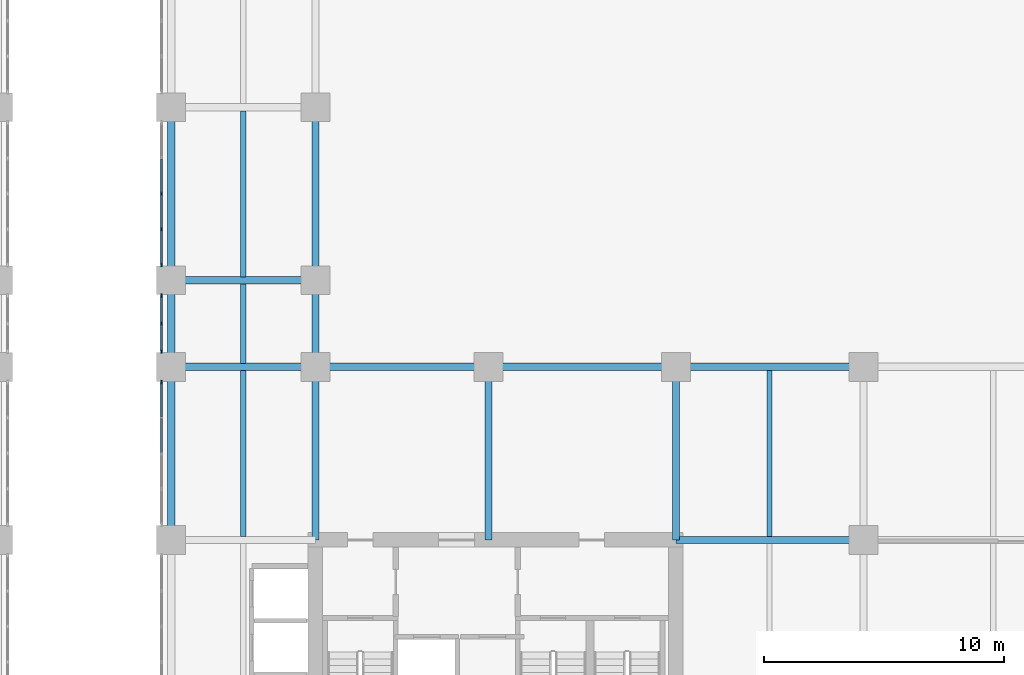
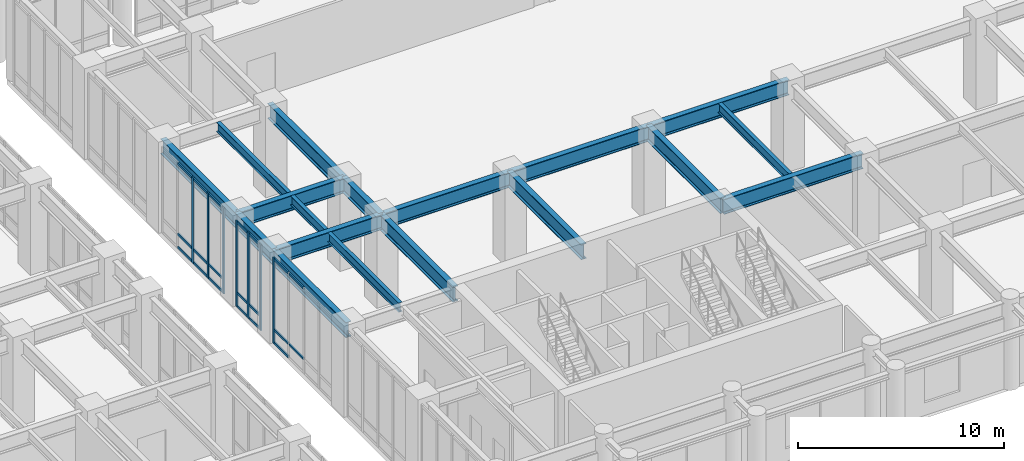
# One storey, part 5 of 23: 27 members, 18 beams, 3 elements without a shape of their own.
"""IFC4 building model written with IfcOpenShell, lengths in metres."""

from ifc_helpers import new_model, si_unit, derived_unit, direction, frame, origin, origin_2d, place, context, subcontext, project, spatial, rectangle, i_section, extrude, source, transform, mapped, material, layer, layer_set, material_profile, profile_set, type_object, type_shapes, element, aggregate, save


model = new_model("IFC4")

# Units and contexts
model_context = context("Model", 3, precision=1e-05, world=origin(), true_north=direction((0.0, 1.0)))
body_context = subcontext(model_context, "Body", "Model", "MODEL_VIEW")
ifc_project = project(units=[si_unit("LENGTHUNIT", "METRE"), si_unit("AREAUNIT", "SQUARE_METRE"), si_unit("VOLUMEUNIT", "CUBIC_METRE"), si_unit("PLANEANGLEUNIT", "RADIAN"), si_unit("MASSUNIT", "GRAM", prefix="KILO"), si_unit("THERMODYNAMICTEMPERATUREUNIT", "KELVIN"), si_unit("POWERUNIT", "WATT"), derived_unit("THERMALTRANSMITTANCEUNIT", [(si_unit("POWERUNIT", "WATT"), 1), (si_unit("AREAUNIT", "SQUARE_METRE"), -1), (si_unit("THERMODYNAMICTEMPERATUREUNIT", "KELVIN"), -1)])], contexts=[model_context])

# Site, building, storey
site_placement = place(None, origin())
site = spatial("IfcSite", under=ifc_project, at=site_placement, CompositionType="ELEMENT")
building_placement = place(site_placement, origin())
building = spatial("IfcBuilding", under=site, at=building_placement, Name="Zahravan Archway Hotel and Residences", CompositionType="ELEMENT")
storey_placement = place(building_placement, frame((0.0, 0.0, 5.39990234375)))
storey = spatial("IfcBuildingStorey", under=building, at=storey_placement, Name="L01", CompositionType="ELEMENT", Elevation=5.39990234375)

# Beams
ifc_material_1 = material(Name="Structural Steel S355J2", Category="steel")
ifc_material_profile_1 = material_profile(ifc_material_1, i_section(OverallWidth=0.300048828125, OverallDepth=0.89990234375, WebThickness=0.0185546875, FlangeThickness=0.034912109375, FilletRadius=0.030029296875, at=origin_2d()), Name="HEB 900", Category="steel")
ifc_profile_set_1 = profile_set([ifc_material_profile_1], Name="Structural Steel S355J2")
beam_type_1 = type_object("IfcBeamType", Name="BM-PRI-HEB900", PredefinedType="BEAM", material=ifc_profile_set_1)
shared_shape_1 = source(origin(), body_context, "Body", "SweptSolid", [
    extrude(i_section(OverallWidth=0.300048828125, OverallDepth=0.89990234375, WebThickness=0.0185546875, FlangeThickness=0.034912109375, FilletRadius=0.030029296875, at=origin_2d()), origin(), (0.0, 0.0, 1.0), 7.199951171875),
])
for number, where, z_axis, x_axis, name in (
    (1, (34.800048828125, 21.60009765625, 4.650146484375), (1.0, 0.0, 0.0), (0.0, 1.0, 0.0), "L01 Primary Girder EW-32"),
    (2, (28.800048828125, 25.199951171875, 4.650146484375), (0.0, 1.0, 0.0), (-1.0, 0.0, 0.0), "L01 Primary Girder NS-99"),
    (3, (34.800048828125, 25.199951171875, 4.650146484375), (0.0, 1.0, 0.0), (-1.0, 0.0, 0.0), "L01 Primary Girder NS-104"),
):
    element("IfcBeam", number, at=place(storey_placement, frame(where, z_axis=z_axis, x_axis=x_axis)), inside=storey, type_object=beam_type_1, Name=name, PredefinedType="BEAM", context=body_context, shape_type="MappedRepresentation", body=[
        mapped(shared_shape_1, transform((0.0, 0.0, 0.0), scale=1.0)),
    ])
shared_shape_2 = source(origin(), body_context, "Body", "SweptSolid", [
    extrude(i_section(OverallWidth=0.300048828125, OverallDepth=0.89990234375, WebThickness=0.0185546875, FlangeThickness=0.034912109375, FilletRadius=0.030029296875, at=origin_2d()), origin(), (0.0, 0.0, 1.0), 7.2001953125),
])
for number, where, z_axis, x_axis, name in (
    (4, (28.800048828125, 14.39990234375, 4.650146484375), (0.0, 1.0, 0.0), (-1.0, 0.0, 0.0), "L01 Primary Girder NS-97"),
    (5, (34.800048828125, 14.39990234375, 4.650146484375), (0.0, 1.0, 0.0), (-1.0, 0.0, 0.0), "L01 Primary Girder NS-102"),
    (6, (42.0, 14.39990234375, 4.650146484375), (0.0, 1.0, 0.0), (-1.0, 0.0, 0.0), "L01 Primary Girder NS-107"),
    (7, (49.800048828125, 14.39990234375, 4.650146484375), (0.0, 1.0, 0.0), (-1.0, 0.0, 0.0), "L01 Primary Girder NS-108"),
):
    element("IfcBeam", number, at=place(storey_placement, frame(where, z_axis=z_axis, x_axis=x_axis)), inside=storey, type_object=beam_type_1, Name=name, PredefinedType="BEAM", context=body_context, shape_type="MappedRepresentation", body=[
        mapped(shared_shape_2, transform((0.0, 0.0, 0.0), scale=1.0)),
    ])
shared_shape_3 = source(origin(), body_context, "Body", "SweptSolid", [
    extrude(i_section(OverallWidth=0.300048828125, OverallDepth=0.89990234375, WebThickness=0.0185546875, FlangeThickness=0.034912109375, FilletRadius=0.030029296875, at=origin_2d()), origin(), (0.0, 0.0, 1.0), 6.0),
])
for number, where, z_axis, x_axis, name in (
    (8, (28.800048828125, 21.60009765625, 4.650146484375), (1.0, 0.0, 0.0), (0.0, 1.0, 0.0), "L01 Primary Girder EW-31"),
    (9, (28.800048828125, 25.199951171875, 4.650146484375), (1.0, 0.0, 0.0), (0.0, 1.0, 0.0), "L01 Primary Girder EW-40"),
):
    element("IfcBeam", number, at=place(storey_placement, frame(where, z_axis=z_axis, x_axis=x_axis)), inside=storey, type_object=beam_type_1, Name=name, PredefinedType="BEAM", context=body_context, shape_type="MappedRepresentation", body=[
        mapped(shared_shape_3, transform((0.0, 0.0, 0.0), scale=1.0)),
    ])
shared_shape_4 = source(origin(), body_context, "Body", "SweptSolid", [
    extrude(i_section(OverallWidth=0.300048828125, OverallDepth=0.89990234375, WebThickness=0.0185546875, FlangeThickness=0.034912109375, FilletRadius=0.030029296875, at=origin_2d()), origin(), (0.0, 0.0, 1.0), 7.800048828125),
])
for number, where, z_axis, x_axis, name in (
    (10, (49.800048828125, 14.39990234375, 4.650146484375), (1.0, 0.0, 0.0), (0.0, 1.0, 0.0), "L01 Primary Girder EW-24"),
    (11, (42.0, 21.60009765625, 4.650146484375), (1.0, 0.0, 0.0), (0.0, 1.0, 0.0), "L01 Primary Girder EW-33"),
    (12, (49.800048828125, 21.60009765625, 4.650146484375), (1.0, 0.0, 0.0), (0.0, 1.0, 0.0), "L01 Primary Girder EW-34"),
):
    element("IfcBeam", number, at=place(storey_placement, frame(where, z_axis=z_axis, x_axis=x_axis)), inside=storey, type_object=beam_type_1, Name=name, PredefinedType="BEAM", context=body_context, shape_type="MappedRepresentation", body=[
        mapped(shared_shape_4, transform((0.0, 0.0, 0.0), scale=1.0)),
    ])
shared_shape_5 = source(origin(), body_context, "Body", "SweptSolid", [
    extrude(i_section(OverallWidth=0.300048828125, OverallDepth=0.89990234375, WebThickness=0.0185546875, FlangeThickness=0.034912109375, FilletRadius=0.030029296875, at=origin_2d()), origin(), (0.0, 0.0, 1.0), 3.599853515625),
])
for number, where, z_axis, x_axis, name in (
    (13, (28.800048828125, 21.60009765625, 4.650146484375), (0.0, 1.0, 0.0), (-1.0, 0.0, 0.0), "L01 Primary Girder NS-98"),
    (14, (34.800048828125, 21.60009765625, 4.650146484375), (0.0, 1.0, 0.0), (-1.0, 0.0, 0.0), "L01 Primary Girder NS-103"),
):
    element("IfcBeam", number, at=place(storey_placement, frame(where, z_axis=z_axis, x_axis=x_axis)), inside=storey, type_object=beam_type_1, Name=name, PredefinedType="BEAM", context=body_context, shape_type="MappedRepresentation", body=[
        mapped(shared_shape_5, transform((0.0, 0.0, 0.0), scale=1.0)),
    ])
ifc_material_2 = material(Name="Structural Steel S355JR", Category="steel")
ifc_material_profile_2 = material_profile(ifc_material_2, i_section(OverallWidth=0.2099609375, OverallDepth=0.550048828125, WebThickness=0.010986328125, FlangeThickness=0.01708984375, FilletRadius=0.02392578125, at=origin_2d()), Name="IPE 550", Category="steel")
ifc_profile_set_2 = profile_set([ifc_material_profile_2], Name="Structural Steel S355JR")
beam_type_2 = type_object("IfcBeamType", Name="BM-JST-IPE550", PredefinedType="JOIST", material=ifc_profile_set_2)
shared_shape_6 = source(origin(), body_context, "Body", "SweptSolid", [
    extrude(i_section(OverallWidth=0.2099609375, OverallDepth=0.550048828125, WebThickness=0.010986328125, FlangeThickness=0.01708984375, FilletRadius=0.02392578125, at=origin_2d()), origin(), (0.0, 0.0, 1.0), 6.904052734375),
])
type_shapes(beam_type_2, [shared_shape_6])
beam_1_placement = place(storey_placement, frame((31.800048828125, 25.347900390625, 4.8251953125), z_axis=(0.0, 1.0, 0.0), x_axis=(-1.0, 0.0, 0.0)))
element("IfcBeam", 15, at=beam_1_placement, inside=storey, type_object=beam_type_2, Name="L01 Composite Floor Joist 29", PredefinedType="JOIST", context=body_context, shape_type="MappedRepresentation", body=[
    mapped(shared_shape_6, transform((0.0, 0.0, 0.0), scale=1.0)),
])
shared_shape_7 = source(origin(), body_context, "Body", "SweptSolid", [
    extrude(i_section(OverallWidth=0.2099609375, OverallDepth=0.550048828125, WebThickness=0.010986328125, FlangeThickness=0.01708984375, FilletRadius=0.02392578125, at=origin_2d()), origin(), (0.0, 0.0, 1.0), 6.90380859375),
])
for number, where, z_axis, x_axis, name in (
    (16, (31.800048828125, 14.548095703125, 4.8251953125), (0.0, 1.0, 0.0), (-1.0, 0.0, 0.0), "L01 Composite Floor Joist 21"),
    (17, (53.699951171875, 14.548095703125, 4.8251953125), (0.0, 1.0, 0.0), (-1.0, 0.0, 0.0), "L01 Composite Floor Joist 22"),
):
    element("IfcBeam", number, at=place(storey_placement, frame(where, z_axis=z_axis, x_axis=x_axis)), inside=storey, type_object=beam_type_2, Name=name, PredefinedType="JOIST", context=body_context, shape_type="MappedRepresentation", body=[
        mapped(shared_shape_7, transform((0.0, 0.0, 0.0), scale=1.0)),
    ])
shared_shape_8 = source(origin(), body_context, "Body", "SweptSolid", [
    extrude(i_section(OverallWidth=0.2099609375, OverallDepth=0.550048828125, WebThickness=0.010986328125, FlangeThickness=0.01708984375, FilletRadius=0.02392578125, at=origin_2d()), origin(), (0.0, 0.0, 1.0), 3.303955078125),
])
beam_2_placement = place(storey_placement, frame((31.800048828125, 21.748046875, 4.8251953125), z_axis=(0.0, 1.0, 0.0), x_axis=(-1.0, 0.0, 0.0)))
element("IfcBeam", 18, at=beam_2_placement, inside=storey, type_object=beam_type_2, Name="L01 Composite Floor Joist 27", PredefinedType="JOIST", context=body_context, shape_type="MappedRepresentation", body=[
    mapped(shared_shape_8, transform((0.0, 0.0, 0.0), scale=1.0)),
])

# Curtain wall, member
ifc_material_3 = material(Name="Bronze-Anodized Unitised Aluminium & Low-E Glass", Category="aluminium")
ifc_layer = layer(ifc_material_3, 0.179931640625, Name="Bronze-Anodized Unitised Aluminium & Low-E Glass", Category="aluminium")
ifc_layer_set = layer_set([ifc_layer], Name="Bronze-Anodized Unitised Aluminium & Low-E Glass")
curtain_wall_type = type_object("IfcCurtainWallType", Name="CW-POD-ARCH", PredefinedType="NOTDEFINED", material=ifc_layer_set)
curtain_wall_1_placement = place(storey_placement, origin())
curtain_wall_1 = element("IfcCurtainWall", 19, at=curtain_wall_1_placement, inside=storey, type_object=curtain_wall_type, Name="L01 Curtain Wall CW-PORTE-L01-3", PredefinedType="NOTDEFINED")
ifc_material_4 = material(Name="Bronze-Anodized Extruded Aluminium", Category="aluminium")
ifc_material_profile_3 = material_profile(ifc_material_4, rectangle(XDim=0.080078125, YDim=0.159912109375, at=origin_2d()), Name="MUL 80x160", Category="aluminium")
ifc_profile_set_3 = profile_set([ifc_material_profile_3], Name="Bronze-Anodized Extruded Aluminium")
member_type_1 = type_object("IfcMemberType", Name="CWM-MUL-160", PredefinedType="MULLION", material=ifc_profile_set_3)
shared_shape_9 = source(origin(), body_context, "Body", "SweptSolid", [
    extrude(rectangle(XDim=0.080078125, YDim=0.159912109375, at=origin_2d()), origin(), (0.0, 0.0, 1.0), 5.10009765625),
])
member_1_placement = place(storey_placement, frame((28.39990234375, 20.954833984375, 0.0), z_axis=(0.0, 0.0, 1.0), x_axis=(1.0, 0.0, 0.0)))
member_1 = element("IfcMember", 20, at=member_1_placement, type_object=member_type_1, Name="CW-PORTE-L01-3 Mullion 4", PredefinedType="MULLION", context=body_context, shape_type="MappedRepresentation", body=[
    mapped(shared_shape_9, transform((0.0, 0.0, 0.0), scale=1.0)),
])

# Curtain wall, members
curtain_wall_2_placement = place(storey_placement, origin())
curtain_wall_2 = element("IfcCurtainWall", 21, at=curtain_wall_2_placement, inside=storey, type_object=curtain_wall_type, Name="L01 Curtain Wall CW-PORTE-L01-4", PredefinedType="NOTDEFINED")
member_2_placement = place(storey_placement, frame((28.39990234375, 22.2451171875, 0.0), z_axis=(0.0, 0.0, 1.0), x_axis=(1.0, 0.0, 0.0)))
member_2 = element("IfcMember", 22, at=member_2_placement, type_object=member_type_1, Name="CW-PORTE-L01-4 Mullion 0", PredefinedType="MULLION", context=body_context, shape_type="MappedRepresentation", body=[
    mapped(shared_shape_9, transform((0.0, 0.0, 0.0), scale=1.0)),
])
member_3_placement = place(storey_placement, frame((28.39990234375, 23.39990234375, 0.0), z_axis=(0.0, 0.0, 1.0), x_axis=(1.0, 0.0, 0.0)))
member_3 = element("IfcMember", 23, at=member_3_placement, type_object=member_type_1, Name="CW-PORTE-L01-4 Mullion 1", PredefinedType="MULLION", context=body_context, shape_type="MappedRepresentation", body=[
    mapped(shared_shape_9, transform((0.0, 0.0, 0.0), scale=1.0)),
])
member_4_placement = place(storey_placement, frame((28.39990234375, 24.5546875, 0.0), z_axis=(0.0, 0.0, 1.0), x_axis=(1.0, 0.0, 0.0)))
member_4 = element("IfcMember", 24, at=member_4_placement, type_object=member_type_1, Name="CW-PORTE-L01-4 Mullion 2", PredefinedType="MULLION", context=body_context, shape_type="MappedRepresentation", body=[
    mapped(shared_shape_9, transform((0.0, 0.0, 0.0), scale=1.0)),
])

curtain_wall_3_placement = place(storey_placement, origin())
curtain_wall_3 = element("IfcCurtainWall", 25, at=curtain_wall_3_placement, inside=storey, type_object=curtain_wall_type, Name="L01 Curtain Wall CW-PORTE-L01-5", PredefinedType="NOTDEFINED")
member_5_placement = place(storey_placement, frame((28.39990234375, 25.84521484375, 0.0), z_axis=(0.0, 0.0, 1.0), x_axis=(1.0, 0.0, 0.0)))
member_5 = element("IfcMember", 26, at=member_5_placement, type_object=member_type_1, Name="CW-PORTE-L01-5 Mullion 0", PredefinedType="MULLION", context=body_context, shape_type="MappedRepresentation", body=[
    mapped(shared_shape_9, transform((0.0, 0.0, 0.0), scale=1.0)),
])
member_6_placement = place(storey_placement, frame((28.39990234375, 27.322509765625, 0.0), z_axis=(0.0, 0.0, 1.0), x_axis=(1.0, 0.0, 0.0)))
member_6 = element("IfcMember", 27, at=member_6_placement, type_object=member_type_1, Name="CW-PORTE-L01-5 Mullion 1", PredefinedType="MULLION", context=body_context, shape_type="MappedRepresentation", body=[
    mapped(shared_shape_9, transform((0.0, 0.0, 0.0), scale=1.0)),
])
member_7_placement = place(storey_placement, frame((28.39990234375, 28.800048828125, 0.0), z_axis=(0.0, 0.0, 1.0), x_axis=(1.0, 0.0, 0.0)))
member_7 = element("IfcMember", 28, at=member_7_placement, type_object=member_type_1, Name="CW-PORTE-L01-5 Mullion 2", PredefinedType="MULLION", context=body_context, shape_type="MappedRepresentation", body=[
    mapped(shared_shape_9, transform((0.0, 0.0, 0.0), scale=1.0)),
])
ifc_material_profile_4 = material_profile(ifc_material_4, rectangle(XDim=0.080078125, YDim=0.139892578125, at=origin_2d()), Name="TRN 80x140", Category="aluminium")
ifc_profile_set_4 = profile_set([ifc_material_profile_4], Name="Bronze-Anodized Extruded Aluminium")
member_type_2 = type_object("IfcMemberType", Name="CWM-TRN-140", PredefinedType="USERDEFINED", material=ifc_profile_set_4)
shared_shape_10 = source(origin(), body_context, "Body", "SweptSolid", [
    extrude(rectangle(XDim=0.080078125, YDim=0.139892578125, at=origin_2d()), origin(), (0.0, 0.0, 1.0), 1.397216796875),
])
member_8_placement = place(storey_placement, frame((28.39990234375, 28.840087890625, 0.070068359375), z_axis=(0.0, 1.0, 0.0), x_axis=(-1.0, 0.0, 0.0)))
member_8 = element("IfcMember", 29, at=member_8_placement, type_object=member_type_2, Name="CW-PORTE-L01-5 Transom 2-1", ObjectType="TRANSOM", PredefinedType="USERDEFINED", context=body_context, shape_type="MappedRepresentation", body=[
    mapped(shared_shape_10, transform((0.0, 0.0, 0.0), scale=1.0)),
])
member_9_placement = place(storey_placement, frame((28.39990234375, 28.840087890625, 0.85009765625), z_axis=(0.0, 1.0, 0.0), x_axis=(-1.0, 0.0, 0.0)))
member_9 = element("IfcMember", 30, at=member_9_placement, type_object=member_type_2, Name="CW-PORTE-L01-5 Transom 2-2", ObjectType="TRANSOM", PredefinedType="USERDEFINED", context=body_context, shape_type="MappedRepresentation", body=[
    mapped(shared_shape_10, transform((0.0, 0.0, 0.0), scale=1.0)),
])
member_10_placement = place(storey_placement, frame((28.39990234375, 28.840087890625, 5.030029296875), z_axis=(0.0, 1.0, 0.0), x_axis=(-1.0, 0.0, 0.0)))
member_10 = element("IfcMember", 31, at=member_10_placement, type_object=member_type_2, Name="CW-PORTE-L01-5 Transom 2-3", ObjectType="TRANSOM", PredefinedType="USERDEFINED", context=body_context, shape_type="MappedRepresentation", body=[
    mapped(shared_shape_10, transform((0.0, 0.0, 0.0), scale=1.0)),
])

# Member
shared_shape_11 = source(origin(), body_context, "Body", "SweptSolid", [
    extrude(rectangle(XDim=0.080078125, YDim=0.139892578125, at=origin_2d()), origin(), (0.0, 0.0, 1.0), 1.3974609375),
])
member_11_placement = place(storey_placement, frame((28.39990234375, 18.0400390625, 0.85009765625), z_axis=(0.0, 1.0, 0.0), x_axis=(-1.0, 0.0, 0.0)))
member_11 = element("IfcMember", 32, at=member_11_placement, type_object=member_type_2, Name="CW-PORTE-L01-3 Transom 2-2", ObjectType="TRANSOM", PredefinedType="USERDEFINED", context=body_context, shape_type="MappedRepresentation", body=[
    mapped(shared_shape_11, transform((0.0, 0.0, 0.0), scale=1.0)),
])

member_12_placement = place(storey_placement, frame((28.39990234375, 18.0400390625, 5.030029296875), z_axis=(0.0, 1.0, 0.0), x_axis=(-1.0, 0.0, 0.0)))
member_12 = element("IfcMember", 33, at=member_12_placement, type_object=member_type_2, Name="CW-PORTE-L01-3 Transom 2-3", ObjectType="TRANSOM", PredefinedType="USERDEFINED", context=body_context, shape_type="MappedRepresentation", body=[
    mapped(shared_shape_11, transform((0.0, 0.0, 0.0), scale=1.0)),
])

member_13_placement = place(storey_placement, frame((28.39990234375, 19.517333984375, 0.070068359375), z_axis=(0.0, 1.0, 0.0), x_axis=(-1.0, 0.0, 0.0)))
member_13 = element("IfcMember", 34, at=member_13_placement, type_object=member_type_2, Name="CW-PORTE-L01-3 Transom 3-1", ObjectType="TRANSOM", PredefinedType="USERDEFINED", context=body_context, shape_type="MappedRepresentation", body=[
    mapped(shared_shape_11, transform((0.0, 0.0, 0.0), scale=1.0)),
])

member_14_placement = place(storey_placement, frame((28.39990234375, 19.517333984375, 0.85009765625), z_axis=(0.0, 1.0, 0.0), x_axis=(-1.0, 0.0, 0.0)))
member_14 = element("IfcMember", 35, at=member_14_placement, type_object=member_type_2, Name="CW-PORTE-L01-3 Transom 3-2", ObjectType="TRANSOM", PredefinedType="USERDEFINED", context=body_context, shape_type="MappedRepresentation", body=[
    mapped(shared_shape_11, transform((0.0, 0.0, 0.0), scale=1.0)),
])

member_15_placement = place(storey_placement, frame((28.39990234375, 19.517333984375, 5.030029296875), z_axis=(0.0, 1.0, 0.0), x_axis=(-1.0, 0.0, 0.0)))
member_15 = element("IfcMember", 36, at=member_15_placement, type_object=member_type_2, Name="CW-PORTE-L01-3 Transom 3-3", ObjectType="TRANSOM", PredefinedType="USERDEFINED", context=body_context, shape_type="MappedRepresentation", body=[
    mapped(shared_shape_11, transform((0.0, 0.0, 0.0), scale=1.0)),
])

aggregate(curtain_wall_1, [member_1, member_11, member_12, member_13, member_14, member_15])

member_16_placement = place(storey_placement, frame((28.39990234375, 25.88525390625, 0.070068359375), z_axis=(0.0, 1.0, 0.0), x_axis=(-1.0, 0.0, 0.0)))
member_16 = element("IfcMember", 37, at=member_16_placement, type_object=member_type_2, Name="CW-PORTE-L01-5 Transom 0-1", ObjectType="TRANSOM", PredefinedType="USERDEFINED", context=body_context, shape_type="MappedRepresentation", body=[
    mapped(shared_shape_11, transform((0.0, 0.0, 0.0), scale=1.0)),
])

member_17_placement = place(storey_placement, frame((28.39990234375, 25.88525390625, 0.85009765625), z_axis=(0.0, 1.0, 0.0), x_axis=(-1.0, 0.0, 0.0)))
member_17 = element("IfcMember", 38, at=member_17_placement, type_object=member_type_2, Name="CW-PORTE-L01-5 Transom 0-2", ObjectType="TRANSOM", PredefinedType="USERDEFINED", context=body_context, shape_type="MappedRepresentation", body=[
    mapped(shared_shape_11, transform((0.0, 0.0, 0.0), scale=1.0)),
])

member_18_placement = place(storey_placement, frame((28.39990234375, 25.88525390625, 5.030029296875), z_axis=(0.0, 1.0, 0.0), x_axis=(-1.0, 0.0, 0.0)))
member_18 = element("IfcMember", 39, at=member_18_placement, type_object=member_type_2, Name="CW-PORTE-L01-5 Transom 0-3", ObjectType="TRANSOM", PredefinedType="USERDEFINED", context=body_context, shape_type="MappedRepresentation", body=[
    mapped(shared_shape_11, transform((0.0, 0.0, 0.0), scale=1.0)),
])

member_19_placement = place(storey_placement, frame((28.39990234375, 27.362548828125, 0.070068359375), z_axis=(0.0, 1.0, 0.0), x_axis=(-1.0, 0.0, 0.0)))
member_19 = element("IfcMember", 40, at=member_19_placement, type_object=member_type_2, Name="CW-PORTE-L01-5 Transom 1-1", ObjectType="TRANSOM", PredefinedType="USERDEFINED", context=body_context, shape_type="MappedRepresentation", body=[
    mapped(shared_shape_11, transform((0.0, 0.0, 0.0), scale=1.0)),
])

member_20_placement = place(storey_placement, frame((28.39990234375, 27.362548828125, 0.85009765625), z_axis=(0.0, 1.0, 0.0), x_axis=(-1.0, 0.0, 0.0)))
member_20 = element("IfcMember", 41, at=member_20_placement, type_object=member_type_2, Name="CW-PORTE-L01-5 Transom 1-2", ObjectType="TRANSOM", PredefinedType="USERDEFINED", context=body_context, shape_type="MappedRepresentation", body=[
    mapped(shared_shape_11, transform((0.0, 0.0, 0.0), scale=1.0)),
])

member_21_placement = place(storey_placement, frame((28.39990234375, 27.362548828125, 5.030029296875), z_axis=(0.0, 1.0, 0.0), x_axis=(-1.0, 0.0, 0.0)))
member_21 = element("IfcMember", 42, at=member_21_placement, type_object=member_type_2, Name="CW-PORTE-L01-5 Transom 1-3", ObjectType="TRANSOM", PredefinedType="USERDEFINED", context=body_context, shape_type="MappedRepresentation", body=[
    mapped(shared_shape_11, transform((0.0, 0.0, 0.0), scale=1.0)),
])

aggregate(curtain_wall_3, [member_5, member_6, member_7, member_16, member_17, member_18, member_19, member_20, member_21, member_8, member_9, member_10])

shared_shape_12 = source(origin(), body_context, "Body", "SweptSolid", [
    extrude(rectangle(XDim=0.080078125, YDim=0.139892578125, at=origin_2d()), origin(), (0.0, 0.0, 1.0), 1.074951171875),
])
member_22_placement = place(storey_placement, frame((28.39990234375, 22.28515625, 0.070068359375), z_axis=(0.0, 1.0, 0.0), x_axis=(-1.0, 0.0, 0.0)))
member_22 = element("IfcMember", 43, at=member_22_placement, type_object=member_type_2, Name="CW-PORTE-L01-4 Transom 0-1", ObjectType="TRANSOM", PredefinedType="USERDEFINED", context=body_context, shape_type="MappedRepresentation", body=[
    mapped(shared_shape_12, transform((0.0, 0.0, 0.0), scale=1.0)),
])

member_23_placement = place(storey_placement, frame((28.39990234375, 22.28515625, 0.85009765625), z_axis=(0.0, 1.0, 0.0), x_axis=(-1.0, 0.0, 0.0)))
member_23 = element("IfcMember", 44, at=member_23_placement, type_object=member_type_2, Name="CW-PORTE-L01-4 Transom 0-2", ObjectType="TRANSOM", PredefinedType="USERDEFINED", context=body_context, shape_type="MappedRepresentation", body=[
    mapped(shared_shape_12, transform((0.0, 0.0, 0.0), scale=1.0)),
])

member_24_placement = place(storey_placement, frame((28.39990234375, 22.28515625, 5.030029296875), z_axis=(0.0, 1.0, 0.0), x_axis=(-1.0, 0.0, 0.0)))
member_24 = element("IfcMember", 45, at=member_24_placement, type_object=member_type_2, Name="CW-PORTE-L01-4 Transom 0-3", ObjectType="TRANSOM", PredefinedType="USERDEFINED", context=body_context, shape_type="MappedRepresentation", body=[
    mapped(shared_shape_12, transform((0.0, 0.0, 0.0), scale=1.0)),
])

member_25_placement = place(storey_placement, frame((28.39990234375, 23.43994140625, 0.070068359375), z_axis=(0.0, 1.0, 0.0), x_axis=(-1.0, 0.0, 0.0)))
member_25 = element("IfcMember", 46, at=member_25_placement, type_object=member_type_2, Name="CW-PORTE-L01-4 Transom 1-1", ObjectType="TRANSOM", PredefinedType="USERDEFINED", context=body_context, shape_type="MappedRepresentation", body=[
    mapped(shared_shape_12, transform((0.0, 0.0, 0.0), scale=1.0)),
])

member_26_placement = place(storey_placement, frame((28.39990234375, 23.43994140625, 0.85009765625), z_axis=(0.0, 1.0, 0.0), x_axis=(-1.0, 0.0, 0.0)))
member_26 = element("IfcMember", 47, at=member_26_placement, type_object=member_type_2, Name="CW-PORTE-L01-4 Transom 1-2", ObjectType="TRANSOM", PredefinedType="USERDEFINED", context=body_context, shape_type="MappedRepresentation", body=[
    mapped(shared_shape_12, transform((0.0, 0.0, 0.0), scale=1.0)),
])

member_27_placement = place(storey_placement, frame((28.39990234375, 23.43994140625, 5.030029296875), z_axis=(0.0, 1.0, 0.0), x_axis=(-1.0, 0.0, 0.0)))
member_27 = element("IfcMember", 48, at=member_27_placement, type_object=member_type_2, Name="CW-PORTE-L01-4 Transom 1-3", ObjectType="TRANSOM", PredefinedType="USERDEFINED", context=body_context, shape_type="MappedRepresentation", body=[
    mapped(shared_shape_12, transform((0.0, 0.0, 0.0), scale=1.0)),
])

aggregate(curtain_wall_2, [member_2, member_3, member_4, member_22, member_23, member_24, member_25, member_26, member_27])

save(model, "model.ifc")
